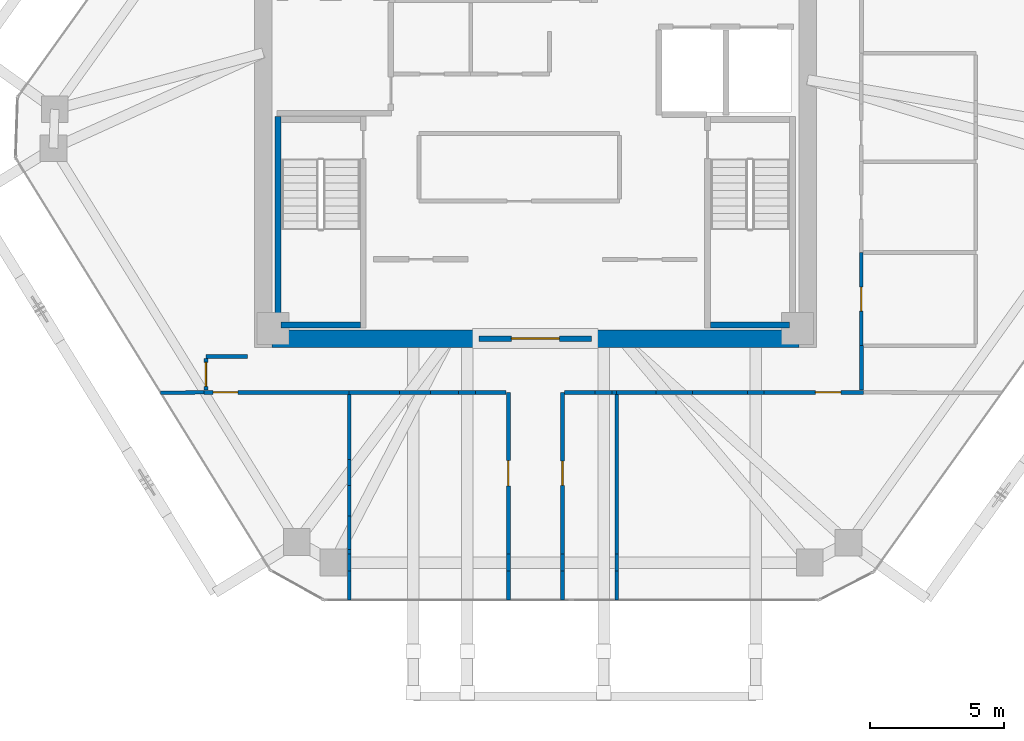
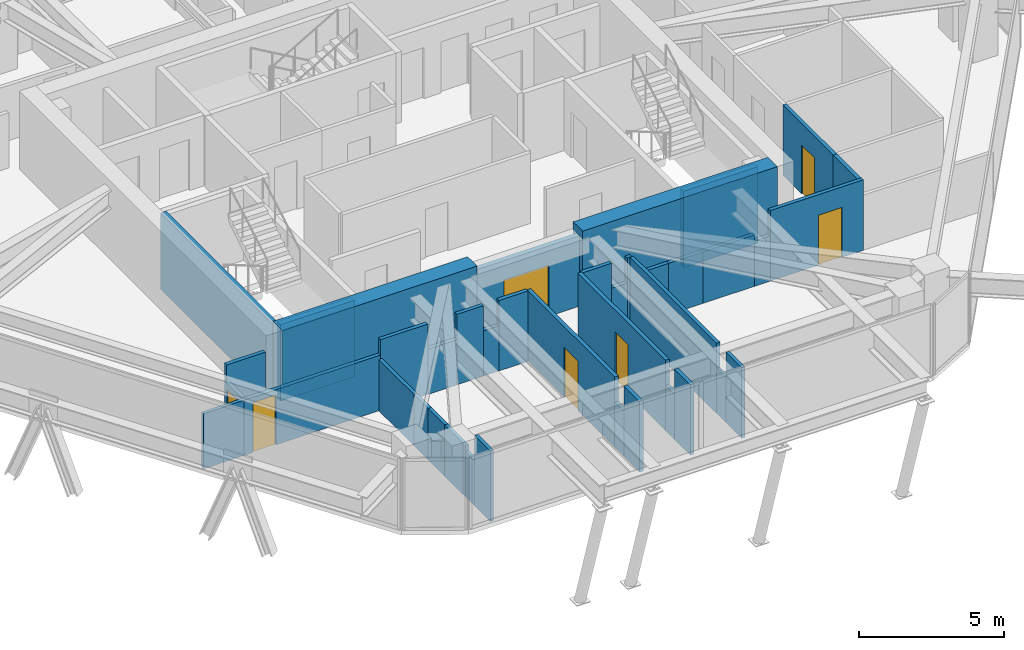
# One storey, part 10 of 14: 41 walls, 7 doors, 7 openings.
"""IFC4 building model written with IfcOpenShell, lengths in metres."""

from ifc_helpers import new_model, si_unit, direction, frame, frame_2d, origin, place, context, subcontext, project, spatial, rectangle, extrude, source, transform, mapped, material, layer, layer_set, type_object, type_shapes, element, fill, save


model = new_model("IFC4")

# Units and contexts
model_context = context("Model", 3, precision=1e-05, world=origin(), true_north=direction((0.0, 1.0)))
body_context = subcontext(model_context, "Body", "Model", "MODEL_VIEW")
ifc_project = project(units=[si_unit("LENGTHUNIT", "METRE"), si_unit("AREAUNIT", "SQUARE_METRE"), si_unit("VOLUMEUNIT", "CUBIC_METRE"), si_unit("PLANEANGLEUNIT", "RADIAN"), si_unit("MASSUNIT", "GRAM", prefix="KILO")], contexts=[model_context])

# Site, building, storey
site_placement = place(None, origin())
site = spatial("IfcSite", under=ifc_project, at=site_placement, CompositionType="ELEMENT")
building_placement = place(site_placement, origin())
building = spatial("IfcBuilding", under=site, at=building_placement, Name="Durnholm Broadcast Tower", CompositionType="ELEMENT")
storey_placement = place(building_placement, frame((0.0, 0.0, 159.300048828125)))
storey = spatial("IfcBuildingStorey", under=building, at=storey_placement, Name="L43", CompositionType="ELEMENT", Elevation=159.300048828125)

# Walls
ifc_material_1 = material(Name="Concrete C70/85", Category="concrete")
ifc_layer_1 = layer(ifc_material_1, 0.64990234375)
ifc_layer_set_1 = layer_set([ifc_layer_1], Name="Concrete C70/85")
wall_type_1 = type_object("IfcWallType", Name="WALL-CW-650", PredefinedType="SHEAR", material=ifc_layer_set_1)
for number, where, z_axis, x_axis, name in (
    (1, (-9.85009765625, -8.175048828125, 0.0), (0.0, 0.0, 1.0), (1.0, 0.0, 0.0), "L43 central core shear wall CW-S1"),
    (2, (2.10009765625, -8.175048828125, 0.0), (0.0, 0.0, 1.0), (1.0, 0.0, 0.0), "L43 central core shear wall CW-S2"),
):
    element("IfcWall", number, at=place(storey_placement, frame(where, z_axis=z_axis, x_axis=x_axis)), inside=storey, type_object=wall_type_1, Name=name, PredefinedType="SHEAR", context=body_context, shape_type="SweptSolid", body=[
        extrude(rectangle(XDim=7.75, YDim=0.64990234375, at=frame_2d((3.875, 0.0))), origin(), (0.0, 0.0, 1.0), 3.300048828125),
    ])

# Wall, opening, door
ifc_material_2 = material(Name="Fire-Rated Gypsum Shaftwall", Category="concrete")
ifc_layer_2 = layer(ifc_material_2, 0.199951171875)
ifc_layer_set_2 = layer_set([ifc_layer_2], Name="Fire-Rated Gypsum Shaftwall")
wall_type_2 = type_object("IfcWallType", Name="WALL-LOB-200", PredefinedType="SOLIDWALL", material=ifc_layer_set_2)
wall_1_placement = place(storey_placement, frame((-2.10009765625, -8.175048828125, 0.0), z_axis=(0.0, 0.0, 1.0), x_axis=(1.0, 0.0, 0.0)))
wall_1 = element("IfcWall", 3, at=wall_1_placement, inside=storey, type_object=wall_type_2, Name="L43 south core lobby fire screen", PredefinedType="SOLIDWALL", context=body_context, shape_type="SweptSolid", body=[
    extrude(rectangle(XDim=4.2001953125, YDim=0.199951171875, at=frame_2d((2.10009765625, 0.0))), origin(), (0.0, 0.0, 1.0), 2.96484375),
])
opening_1_placement = place(wall_1_placement, frame((1.199951171875, 0.0, 0.0)))
opening_1 = element("IfcOpeningElement", 4, at=opening_1_placement, cuts=wall_1, Name="Opening DP-60", PredefinedType="OPENING", context=body_context, shape_type="SweptSolid", body=[
    extrude(rectangle(XDim=1.800048828125, YDim=2.14990234375, at=frame_2d((0.89990234375, 1.074951171875))), frame((0.0, 0.10986328125, 0.0), z_axis=(0.0, -1.0, 0.0), x_axis=(1.0, 0.0, 0.0)), (0.0, 0.0, 1.0), 0.219970703125),
])
ifc_material_3 = material(Name="Fire-Rated Double Corridor Door", Category="steel")
ifc_layer_3 = layer(ifc_material_3, 0.050048828125)
ifc_layer_set_3 = layer_set([ifc_layer_3], Name="Fire-Rated Double Corridor Door")
door_type_1 = type_object("IfcDoorType", Name="DOOR-PAIR-FD60", OperationType="DOUBLE_DOOR_SINGLE_SWING", PredefinedType="DOOR", material=ifc_layer_set_3)
shared_shape_1 = source(origin(), body_context, "Body", "SweptSolid", [
    extrude(rectangle(XDim=1.800048828125, YDim=2.14990234375, at=frame_2d((0.89990234375, 1.074951171875))), frame((0.0, 0.02490234375, 0.0), z_axis=(0.0, -1.0, 0.0), x_axis=(1.0, 0.0, 0.0)), (0.0, 0.0, 1.0), 0.050048828125),
])
type_shapes(door_type_1, [shared_shape_1])
door_1_placement = place(opening_1_placement, origin())
door_1 = element("IfcDoor", 5, at=door_1_placement, inside=storey, type_object=door_type_1, Name="L43 south core lobby double fire door", OperationType="DOUBLE_DOOR_SINGLE_SWING", OverallHeight=2.14990234375, OverallWidth=1.800048828125, PredefinedType="DOOR", context=body_context, shape_type="MappedRepresentation", body=[
    mapped(shared_shape_1, transform((0.0, 0.0, 0.0), x_axis=(1.0, 0.0, 0.0), y_axis=(0.0, 1.0, 0.0), z_axis=(0.0, 0.0, 1.0), scale=1.0)),
])
fill(opening_1, door_1)

# Walls
ifc_material_4 = material(Name="Gypsum Metal Stud Partition", Category="concrete")
ifc_layer_4 = layer(ifc_material_4, 0.135009765625)
ifc_layer_set_4 = layer_set([ifc_layer_4], Name="Gypsum Metal Stud Partition")
wall_type_3 = type_object("IfcWallType", Name="WALL-PART-135", PredefinedType="PARTITIONING", material=ifc_layer_set_4)
wall_2_placement = place(storey_placement, frame((-6.9599609375, -10.259033203125, 0.0), z_axis=(0.0, 0.0, 1.0), x_axis=(0.0, -1.0, 0.0)))
element("IfcWall", 6, at=wall_2_placement, inside=storey, type_object=wall_type_3, Name="L43 room dividing partition 13.14", PredefinedType="PARTITIONING", context=body_context, shape_type="SweptSolid", body=[
    extrude(rectangle(XDim=2.435791015625, YDim=0.135009765625, at=frame_2d((1.2177734375, 0.0))), origin(), (0.0, 0.0, 1.0), 2.161865234375),
])
wall_3_placement = place(storey_placement, frame((-6.9599609375, -13.6611328125, 0.0), z_axis=(0.0, 0.0, 1.0), x_axis=(0.0, -1.0, 0.0)))
element("IfcWall", 7, at=wall_3_placement, inside=storey, type_object=wall_type_3, Name="L43 room dividing partition 13.14", PredefinedType="PARTITIONING", context=body_context, shape_type="SweptSolid", body=[
    extrude(rectangle(XDim=1.133056640625, YDim=0.135009765625, at=frame_2d((0.56640625, 0.0))), origin(), (0.0, 0.0, 1.0), 2.161865234375),
])
wall_4_placement = place(storey_placement, frame((-6.9599609375, -16.05517578125, 0.0), z_axis=(0.0, 0.0, 1.0), x_axis=(0.0, -1.0, 0.0)))
element("IfcWall", 8, at=wall_4_placement, inside=storey, type_object=wall_type_3, Name="L43 room dividing partition 13.14", PredefinedType="PARTITIONING", context=body_context, shape_type="SweptSolid", body=[
    extrude(rectangle(XDim=0.173095703125, YDim=0.135009765625, at=frame_2d((0.08642578125, 0.0))), origin(), (0.0, 0.0, 1.0), 2.161865234375),
])
wall_5_placement = place(storey_placement, frame((-6.9599609375, -16.855712890625, 0.0), z_axis=(0.0, 0.0, 1.0), x_axis=(0.0, -1.0, 0.0)))
element("IfcWall", 9, at=wall_5_placement, inside=storey, type_object=wall_type_3, Name="L43 room dividing partition 13.14", PredefinedType="PARTITIONING", context=body_context, shape_type="SweptSolid", body=[
    extrude(rectangle(XDim=1.086181640625, YDim=0.135009765625, at=frame_2d((0.54296875, 0.0))), origin(), (0.0, 0.0, 1.0), 2.96484375),
])
wall_6_placement = place(storey_placement, frame((-6.9599609375, -12.69482421875, 0.0), z_axis=(0.0, 0.0, 1.0), x_axis=(0.0, -1.0, 0.0)))
element("IfcWall", 10, at=wall_6_placement, inside=storey, type_object=wall_type_3, Name="L43 room dividing partition 13.14", PredefinedType="PARTITIONING", context=body_context, shape_type="SweptSolid", body=[
    extrude(rectangle(XDim=0.96630859375, YDim=0.135009765625, at=frame_2d((0.483154296875, 0.0))), origin(), (0.0, 0.0, 1.0), 2.161865234375),
])
wall_7_placement = place(storey_placement, frame((-6.9599609375, -14.794189453125, 0.0), z_axis=(0.0, 0.0, 1.0), x_axis=(0.0, -1.0, 0.0)))
element("IfcWall", 11, at=wall_7_placement, inside=storey, type_object=wall_type_3, Name="L43 room dividing partition 13.14", PredefinedType="PARTITIONING", context=body_context, shape_type="SweptSolid", body=[
    extrude(rectangle(XDim=1.260986328125, YDim=0.135009765625, at=frame_2d((0.63037109375, 0.0))), origin(), (0.0, 0.0, 1.0), 2.161865234375),
])
wall_8_placement = place(storey_placement, frame((-6.9599609375, -16.228271484375, 0.0), z_axis=(0.0, 0.0, 1.0), x_axis=(0.0, -1.0, 0.0)))
element("IfcWall", 12, at=wall_8_placement, inside=storey, type_object=wall_type_3, Name="L43 room dividing partition 13.14", PredefinedType="PARTITIONING", context=body_context, shape_type="SweptSolid", body=[
    extrude(rectangle(XDim=0.62744140625, YDim=0.135009765625, at=frame_2d((0.313720703125, 0.0))), origin(), (0.0, 0.0, 1.0), 1.904296875),
])
wall_9_placement = place(storey_placement, frame((-14.00390625, -10.200927734375, 0.0), z_axis=(0.0, 0.0, 1.0), x_axis=(0.999923084603, 0.012402615782, 0.0)))
element("IfcWall", 13, at=wall_9_placement, inside=storey, type_object=wall_type_3, Name="L43 room dividing partition 13.17", PredefinedType="PARTITIONING", context=body_context, shape_type="SweptSolid", body=[
    extrude(rectangle(XDim=1.6142578125, YDim=0.135009765625, at=frame_2d((0.80712890625, 0.0))), origin(), (0.0, 0.0, 1.0), 2.31884765625),
])
wall_10_placement = place(storey_placement, frame((3.0400390625, -10.259033203125, 0.0), z_axis=(0.0, 0.0, 1.0), x_axis=(0.0, -1.0, 0.0)))
element("IfcWall", 14, at=wall_10_placement, inside=storey, type_object=wall_type_3, Name="L43 room dividing partition 15.16", PredefinedType="PARTITIONING", context=body_context, shape_type="SweptSolid", body=[
    extrude(rectangle(XDim=5.96923828125, YDim=0.135009765625, at=frame_2d((2.984619140625, 0.0))), origin(), (0.0, 0.0, 1.0), 2.96484375),
])
wall_11_placement = place(storey_placement, frame((3.0400390625, -16.855712890625, 0.0), z_axis=(0.0, 0.0, 1.0), x_axis=(0.0, -1.0, 0.0)))
element("IfcWall", 15, at=wall_11_placement, inside=storey, type_object=wall_type_3, Name="L43 room dividing partition 15.16", PredefinedType="PARTITIONING", context=body_context, shape_type="SweptSolid", body=[
    extrude(rectangle(XDim=1.086181640625, YDim=0.135009765625, at=frame_2d((0.54296875, 0.0))), origin(), (0.0, 0.0, 1.0), 2.96484375),
])
wall_12_placement = place(storey_placement, frame((3.0400390625, -16.228271484375, 0.0), z_axis=(0.0, 0.0, 1.0), x_axis=(0.0, -1.0, 0.0)))
element("IfcWall", 16, at=wall_12_placement, inside=storey, type_object=wall_type_3, Name="L43 room dividing partition 15.16", PredefinedType="PARTITIONING", context=body_context, shape_type="SweptSolid", body=[
    extrude(rectangle(XDim=0.62744140625, YDim=0.135009765625, at=frame_2d((0.313720703125, 0.0))), origin(), (0.0, 0.0, 1.0), 1.904296875),
])

# Wall, opening, door
ifc_material_5 = material(Name="Acoustic Gypsum Stud Partition", Category="concrete")
ifc_layer_5 = layer(ifc_material_5, 0.14990234375)
ifc_layer_set_5 = layer_set([ifc_layer_5], Name="Acoustic Gypsum Stud Partition")
wall_type_4 = type_object("IfcWallType", Name="WALL-PART-150", PredefinedType="PARTITIONING", material=ifc_layer_set_5)
wall_13_placement = place(storey_placement, frame((-12.389892578125, -10.179931640625, 0.0), z_axis=(0.0, 0.0, 1.0), x_axis=(1.0, 0.0, 0.0)))
wall_13 = element("IfcWall", 17, at=wall_13_placement, inside=storey, type_object=wall_type_4, Name="L43 Open Plan Broadcast Workspace 6 corridor partition", PredefinedType="PARTITIONING", context=body_context, shape_type="SweptSolid", body=[
    extrude(rectangle(XDim=5.429931640625, YDim=0.14990234375, at=frame_2d((2.71484375, 0.0))), origin(), (0.0, 0.0, 1.0), 2.31884765625),
])
opening_2_placement = place(wall_13_placement, frame((0.35009765625, 0.0, 0.0)))
opening_2 = element("IfcOpeningElement", 18, at=opening_2_placement, cuts=wall_13, Name="Opening DR-92L", PredefinedType="OPENING", context=body_context, shape_type="SweptSolid", body=[
    extrude(rectangle(XDim=0.919921875, YDim=2.10009765625, at=frame_2d((0.4599609375, 1.050048828125))), frame((0.0, 0.0849609375, 0.0), z_axis=(0.0, -1.0, 0.0), x_axis=(1.0, 0.0, 0.0)), (0.0, 0.0, 1.0), 0.169921875),
])
ifc_material_6 = material(Name="Oak Veneer Office Door", Category="wood")
ifc_layer_6 = layer(ifc_material_6, 0.050048828125)
ifc_layer_set_6 = layer_set([ifc_layer_6], Name="Oak Veneer Office Door")
door_type_2 = type_object("IfcDoorType", Name="DOOR-RM-920L", OperationType="NOTDEFINED", PredefinedType="DOOR", material=ifc_layer_set_6)
shared_shape_2 = source(origin(), body_context, "Body", "SweptSolid", [
    extrude(rectangle(XDim=0.919921875, YDim=2.10009765625, at=frame_2d((0.4599609375, 1.050048828125))), frame((0.0, 0.02490234375, 0.0), z_axis=(0.0, -1.0, 0.0), x_axis=(1.0, 0.0, 0.0)), (0.0, 0.0, 1.0), 0.050048828125),
])
type_shapes(door_type_2, [shared_shape_2])
door_2_placement = place(opening_2_placement, origin())
door_2 = element("IfcDoor", 19, at=door_2_placement, inside=storey, type_object=door_type_2, Name="L43 Open Plan Broadcast Workspace 6 entrance door", OperationType="SINGLE_SWING_LEFT", OverallHeight=2.10009765625, OverallWidth=0.919921875, PredefinedType="DOOR", context=body_context, shape_type="MappedRepresentation", body=[
    mapped(shared_shape_2, transform((0.0, 0.0, 0.0), x_axis=(1.0, 0.0, 0.0), y_axis=(0.0, 1.0, 0.0), z_axis=(0.0, 0.0, 1.0), scale=1.0)),
])
fill(opening_2, door_2)

wall_14_placement = place(storey_placement, frame((-1.010009765625, -10.179931640625, 0.0), z_axis=(0.0, 0.0, 1.0), x_axis=(0.0, -1.0, 0.0)))
wall_14 = element("IfcWall", 20, at=wall_14_placement, inside=storey, type_object=wall_type_4, Name="L43 Lab Kitchen corridor partition", PredefinedType="PARTITIONING", context=body_context, shape_type="SweptSolid", body=[
    extrude(rectangle(XDim=6.04833984375, YDim=0.14990234375, at=frame_2d((3.024169921875, 0.0))), origin(), (0.0, 0.0, 1.0), 2.96484375),
])
opening_3_placement = place(wall_14_placement, frame((2.54931640625, 0.0, 0.0)))
opening_3 = element("IfcOpeningElement", 21, at=opening_3_placement, cuts=wall_14, Name="Opening DR-95R", PredefinedType="OPENING", context=body_context, shape_type="SweptSolid", body=[
    extrude(rectangle(XDim=0.949951171875, YDim=2.10009765625, at=frame_2d((0.47509765625, 1.050048828125))), frame((0.0, 0.0849609375, 0.0), z_axis=(0.0, -1.0, 0.0), x_axis=(1.0, 0.0, 0.0)), (0.0, 0.0, 1.0), 0.169921875),
])
ifc_material_7 = material(Name="Acoustic Oak Veneer Timber Door", Category="wood")
ifc_layer_7 = layer(ifc_material_7, 0.050048828125)
ifc_layer_set_7 = layer_set([ifc_layer_7], Name="Acoustic Oak Veneer Timber Door")
door_type_3 = type_object("IfcDoorType", Name="DOOR-RM-950R", OperationType="NOTDEFINED", PredefinedType="DOOR", material=ifc_layer_set_7)
shared_shape_3 = source(origin(), body_context, "Body", "SweptSolid", [
    extrude(rectangle(XDim=0.949951171875, YDim=2.10009765625, at=frame_2d((0.47509765625, 1.050048828125))), frame((0.0, 0.02490234375, 0.0), z_axis=(0.0, -1.0, 0.0), x_axis=(1.0, 0.0, 0.0)), (0.0, 0.0, 1.0), 0.050048828125),
])
type_shapes(door_type_3, [shared_shape_3])
door_3_placement = place(opening_3_placement, origin())
door_3 = element("IfcDoor", 22, at=door_3_placement, inside=storey, type_object=door_type_3, Name="L43 Lab Kitchen entrance door", OperationType="SINGLE_SWING_RIGHT", OverallHeight=2.10009765625, OverallWidth=0.949951171875, PredefinedType="DOOR", context=body_context, shape_type="MappedRepresentation", body=[
    mapped(shared_shape_3, transform((0.0, 0.0, 0.0), x_axis=(1.0, 0.0, 0.0), y_axis=(0.0, 1.0, 0.0), z_axis=(0.0, 0.0, 1.0), scale=1.0)),
])
fill(opening_3, door_3)

# Walls
wall_15_placement = place(storey_placement, frame((-1.010009765625, -16.855712890625, 0.0), z_axis=(0.0, 0.0, 1.0), x_axis=(0.0, -1.0, 0.0)))
element("IfcWall", 23, at=wall_15_placement, inside=storey, type_object=wall_type_4, Name="L43 Lab Kitchen corridor partition", PredefinedType="PARTITIONING", context=body_context, shape_type="SweptSolid", body=[
    extrude(rectangle(XDim=1.086181640625, YDim=0.14990234375, at=frame_2d((0.54296875, 0.0))), origin(), (0.0, 0.0, 1.0), 2.96484375),
])
wall_16_placement = place(storey_placement, frame((-1.010009765625, -16.228271484375, 0.0), z_axis=(0.0, 0.0, 1.0), x_axis=(0.0, -1.0, 0.0)))
element("IfcWall", 24, at=wall_16_placement, inside=storey, type_object=wall_type_4, Name="L43 Lab Kitchen corridor partition", PredefinedType="PARTITIONING", context=body_context, shape_type="SweptSolid", body=[
    extrude(rectangle(XDim=0.62744140625, YDim=0.14990234375, at=frame_2d((0.313720703125, 0.0))), origin(), (0.0, 0.0, 1.0), 1.904296875),
])
wall_17_placement = place(storey_placement, frame((-6.9599609375, -10.179931640625, 0.0), z_axis=(0.0, 0.0, 1.0), x_axis=(1.0, 0.0, 0.0)))
element("IfcWall", 25, at=wall_17_placement, inside=storey, type_object=wall_type_4, Name="L43 Lab Kitchen corridor partition", PredefinedType="PARTITIONING", context=body_context, shape_type="SweptSolid", body=[
    extrude(rectangle(XDim=1.889892578125, YDim=0.14990234375, at=frame_2d((0.94482421875, 0.0))), origin(), (0.0, 0.0, 1.0), 2.96484375),
])
wall_18_placement = place(storey_placement, frame((-3.912841796875, -10.179931640625, 0.0), z_axis=(0.0, 0.0, 1.0), x_axis=(1.0, 0.0, 0.0)))
element("IfcWall", 26, at=wall_18_placement, inside=storey, type_object=wall_type_4, Name="L43 Lab Kitchen corridor partition", PredefinedType="PARTITIONING", context=body_context, shape_type="SweptSolid", body=[
    extrude(rectangle(XDim=1.049072265625, YDim=0.14990234375, at=frame_2d((0.5244140625, 0.0))), origin(), (0.0, 0.0, 1.0), 2.96484375),
])
wall_19_placement = place(storey_placement, frame((-2.236083984375, -10.179931640625, 0.0), z_axis=(0.0, 0.0, 1.0), x_axis=(1.0, 0.0, 0.0)))
element("IfcWall", 27, at=wall_19_placement, inside=storey, type_object=wall_type_4, Name="L43 Lab Kitchen corridor partition", PredefinedType="PARTITIONING", context=body_context, shape_type="SweptSolid", body=[
    extrude(rectangle(XDim=1.14697265625, YDim=0.14990234375, at=frame_2d((0.573486328125, 0.0))), origin(), (0.0, 0.0, 1.0), 2.96484375),
])
wall_20_placement = place(storey_placement, frame((-5.070068359375, -10.179931640625, 0.0), z_axis=(0.0, 0.0, 1.0), x_axis=(1.0, 0.0, 0.0)))
element("IfcWall", 28, at=wall_20_placement, inside=storey, type_object=wall_type_4, Name="L43 Lab Kitchen corridor partition", PredefinedType="PARTITIONING", context=body_context, shape_type="SweptSolid", body=[
    extrude(rectangle(XDim=1.1572265625, YDim=0.14990234375, at=frame_2d((0.57861328125, 0.0))), origin(), (0.0, 0.0, 1.0), 1.904296875),
])
wall_21_placement = place(storey_placement, frame((-2.86376953125, -10.179931640625, 0.0), z_axis=(0.0, 0.0, 1.0), x_axis=(1.0, 0.0, 0.0)))
element("IfcWall", 29, at=wall_21_placement, inside=storey, type_object=wall_type_4, Name="L43 Lab Kitchen corridor partition", PredefinedType="PARTITIONING", context=body_context, shape_type="SweptSolid", body=[
    extrude(rectangle(XDim=0.627685546875, YDim=0.14990234375, at=frame_2d((0.31396484375, 0.0))), origin(), (0.0, 0.0, 1.0), 1.904296875),
])
wall_22_placement = place(storey_placement, frame((1.010009765625, -17.94189453125, 0.0), z_axis=(0.0, 0.0, 1.0), x_axis=(0.0, 1.0, 0.0)))
element("IfcWall", 30, at=wall_22_placement, inside=storey, type_object=wall_type_4, Name="L43 Instrument Store corridor partition", PredefinedType="PARTITIONING", context=body_context, shape_type="SweptSolid", body=[
    extrude(rectangle(XDim=1.086181640625, YDim=0.14990234375, at=frame_2d((0.54296875, 0.0))), origin(), (0.0, 0.0, 1.0), 2.96484375),
])

# Wall, opening, door
wall_23_placement = place(storey_placement, frame((1.010009765625, -16.228271484375, 0.0), z_axis=(0.0, 0.0, 1.0), x_axis=(0.0, 1.0, 0.0)))
wall_23 = element("IfcWall", 31, at=wall_23_placement, inside=storey, type_object=wall_type_4, Name="L43 Instrument Store corridor partition", PredefinedType="PARTITIONING", context=body_context, shape_type="SweptSolid", body=[
    extrude(rectangle(XDim=6.04833984375, YDim=0.14990234375, at=frame_2d((3.024169921875, 0.0))), origin(), (0.0, 0.0, 1.0), 2.96484375),
])
opening_4_placement = place(wall_23_placement, frame((2.57421875, 0.0, 0.0)))
opening_4 = element("IfcOpeningElement", 32, at=opening_4_placement, cuts=wall_23, Name="Opening DC-60L", PredefinedType="OPENING", context=body_context, shape_type="SweptSolid", body=[
    extrude(rectangle(XDim=0.89990234375, YDim=2.050048828125, at=frame_2d((0.449951171875, 1.02490234375))), frame((0.0, 0.0849609375, 0.0), z_axis=(0.0, -1.0, 0.0), x_axis=(1.0, 0.0, 0.0)), (0.0, 0.0, 1.0), 0.169921875),
])
ifc_material_8 = material(Name="Fire-Rated Core Service Door", Category="steel")
ifc_layer_8 = layer(ifc_material_8, 0.050048828125)
ifc_layer_set_8 = layer_set([ifc_layer_8], Name="Fire-Rated Core Service Door")
door_type_4 = type_object("IfcDoorType", Name="DOOR-CORE-FD60-L", OperationType="NOTDEFINED", PredefinedType="DOOR", material=ifc_layer_set_8)
shared_shape_4 = source(origin(), body_context, "Body", "SweptSolid", [
    extrude(rectangle(XDim=0.89990234375, YDim=2.050048828125, at=frame_2d((0.449951171875, 1.02490234375))), frame((0.0, 0.02490234375, 0.0), z_axis=(0.0, -1.0, 0.0), x_axis=(1.0, 0.0, 0.0)), (0.0, 0.0, 1.0), 0.050048828125),
])
type_shapes(door_type_4, [shared_shape_4])
door_4_placement = place(opening_4_placement, origin())
door_4 = element("IfcDoor", 33, at=door_4_placement, inside=storey, type_object=door_type_4, Name="L43 Instrument Store entrance door", OperationType="SINGLE_SWING_LEFT", OverallHeight=2.050048828125, OverallWidth=0.89990234375, PredefinedType="DOOR", context=body_context, shape_type="MappedRepresentation", body=[
    mapped(shared_shape_4, transform((0.0, 0.0, 0.0), x_axis=(1.0, 0.0, 0.0), y_axis=(0.0, 1.0, 0.0), z_axis=(0.0, 0.0, 1.0), scale=1.0)),
])
fill(opening_4, door_4)

# Walls
wall_24_placement = place(storey_placement, frame((1.010009765625, -16.855712890625, 0.0), z_axis=(0.0, 0.0, 1.0), x_axis=(0.0, 1.0, 0.0)))
element("IfcWall", 34, at=wall_24_placement, inside=storey, type_object=wall_type_4, Name="L43 Instrument Store corridor partition", PredefinedType="PARTITIONING", context=body_context, shape_type="SweptSolid", body=[
    extrude(rectangle(XDim=0.62744140625, YDim=0.14990234375, at=frame_2d((0.313720703125, 0.0))), origin(), (0.0, 0.0, 1.0), 1.904296875),
])
wall_25_placement = place(storey_placement, frame((1.089111328125, -10.179931640625, 0.0), z_axis=(0.0, 0.0, 1.0), x_axis=(1.0, 0.0, 0.0)))
element("IfcWall", 35, at=wall_25_placement, inside=storey, type_object=wall_type_4, Name="L43 Instrument Store corridor partition", PredefinedType="PARTITIONING", context=body_context, shape_type="SweptSolid", body=[
    extrude(rectangle(XDim=1.14697265625, YDim=0.14990234375, at=frame_2d((0.573486328125, 0.0))), origin(), (0.0, 0.0, 1.0), 2.96484375),
])
wall_26_placement = place(storey_placement, frame((2.86376953125, -10.179931640625, 0.0), z_axis=(0.0, 0.0, 1.0), x_axis=(1.0, 0.0, 0.0)))
element("IfcWall", 36, at=wall_26_placement, inside=storey, type_object=wall_type_4, Name="L43 Instrument Store corridor partition", PredefinedType="PARTITIONING", context=body_context, shape_type="SweptSolid", body=[
    extrude(rectangle(XDim=0.17626953125, YDim=0.14990234375, at=frame_2d((0.088134765625, 0.0))), origin(), (0.0, 0.0, 1.0), 2.96484375),
])
wall_27_placement = place(storey_placement, frame((2.236083984375, -10.179931640625, 0.0), z_axis=(0.0, 0.0, 1.0), x_axis=(1.0, 0.0, 0.0)))
element("IfcWall", 37, at=wall_27_placement, inside=storey, type_object=wall_type_4, Name="L43 Instrument Store corridor partition", PredefinedType="PARTITIONING", context=body_context, shape_type="SweptSolid", body=[
    extrude(rectangle(XDim=0.627685546875, YDim=0.14990234375, at=frame_2d((0.31396484375, 0.0))), origin(), (0.0, 0.0, 1.0), 1.904296875),
])
wall_28_placement = place(storey_placement, frame((3.0400390625, -10.179931640625, 0.0), z_axis=(0.0, 0.0, 1.0), x_axis=(1.0, 0.0, 0.0)))
element("IfcWall", 38, at=wall_28_placement, inside=storey, type_object=wall_type_4, Name="L43 Spatial Computing Lab Office corridor partition", PredefinedType="PARTITIONING", context=body_context, shape_type="SweptSolid", body=[
    extrude(rectangle(XDim=1.47119140625, YDim=0.14990234375, at=frame_2d((0.735595703125, 0.0))), origin(), (0.0, 0.0, 1.0), 2.161865234375),
])
wall_29_placement = place(storey_placement, frame((5.86962890625, -10.179931640625, 0.0), z_axis=(0.0, 0.0, 1.0), x_axis=(1.0, 0.0, 0.0)))
element("IfcWall", 39, at=wall_29_placement, inside=storey, type_object=wall_type_4, Name="L43 Spatial Computing Lab Office corridor partition", PredefinedType="PARTITIONING", context=body_context, shape_type="SweptSolid", body=[
    extrude(rectangle(XDim=2.0556640625, YDim=0.14990234375, at=frame_2d((1.02783203125, 0.0))), origin(), (0.0, 0.0, 1.0), 2.161865234375),
])

# Wall, opening, door
wall_30_placement = place(storey_placement, frame((8.552734375, -10.179931640625, 0.0), z_axis=(0.0, 0.0, 1.0), x_axis=(1.0, 0.0, 0.0)))
wall_30 = element("IfcWall", 40, at=wall_30_placement, inside=storey, type_object=wall_type_4, Name="L43 Spatial Computing Lab Office corridor partition", PredefinedType="PARTITIONING", context=body_context, shape_type="SweptSolid", body=[
    extrude(rectangle(XDim=3.707275390625, YDim=0.14990234375, at=frame_2d((1.853515625, 0.0))), origin(), (0.0, 0.0, 1.0), 2.96484375),
])
opening_5_placement = place(wall_30_placement, frame((1.909912109375, 0.0, 0.0)))
opening_5 = element("IfcOpeningElement", 41, at=opening_5_placement, cuts=wall_30, Name="Opening DR-95R", PredefinedType="OPENING", context=body_context, shape_type="SweptSolid", body=[
    extrude(rectangle(XDim=0.949951171875, YDim=2.10009765625, at=frame_2d((0.47509765625, 1.050048828125))), frame((0.0, 0.0849609375, 0.0), z_axis=(0.0, -1.0, 0.0), x_axis=(1.0, 0.0, 0.0)), (0.0, 0.0, 1.0), 0.169921875),
])
door_5_placement = place(opening_5_placement, origin())
door_5 = element("IfcDoor", 42, at=door_5_placement, inside=storey, type_object=door_type_3, Name="L43 Spatial Computing Lab Office entrance door", OperationType="SINGLE_SWING_RIGHT", OverallHeight=2.10009765625, OverallWidth=0.949951171875, PredefinedType="DOOR", context=body_context, shape_type="MappedRepresentation", body=[
    mapped(shared_shape_3, transform((0.0, 0.0, 0.0), x_axis=(1.0, 0.0, 0.0), y_axis=(0.0, 1.0, 0.0), z_axis=(0.0, 0.0, 1.0), scale=1.0)),
])
fill(opening_5, door_5)

# Walls
wall_31_placement = place(storey_placement, frame((4.51123046875, -10.179931640625, 0.0), z_axis=(0.0, 0.0, 1.0), x_axis=(1.0, 0.0, 0.0)))
element("IfcWall", 43, at=wall_31_placement, inside=storey, type_object=wall_type_4, Name="L43 Spatial Computing Lab Office corridor partition", PredefinedType="PARTITIONING", context=body_context, shape_type="SweptSolid", body=[
    extrude(rectangle(XDim=1.3583984375, YDim=0.14990234375, at=frame_2d((0.67919921875, 0.0))), origin(), (0.0, 0.0, 1.0), 2.161865234375),
])
wall_32_placement = place(storey_placement, frame((7.92529296875, -10.179931640625, 0.0), z_axis=(0.0, 0.0, 1.0), x_axis=(1.0, 0.0, 0.0)))
element("IfcWall", 44, at=wall_32_placement, inside=storey, type_object=wall_type_4, Name="L43 Spatial Computing Lab Office corridor partition", PredefinedType="PARTITIONING", context=body_context, shape_type="SweptSolid", body=[
    extrude(rectangle(XDim=0.62744140625, YDim=0.14990234375, at=frame_2d((0.313720703125, 0.0))), origin(), (0.0, 0.0, 1.0), 1.904296875),
])
wall_33_placement = place(storey_placement, frame((-10.760009765625, -8.840087890625, 0.0), z_axis=(0.0, 0.0, 1.0), x_axis=(-1.0, 0.0, 0.0)))
element("IfcWall", 45, at=wall_33_placement, inside=storey, type_object=wall_type_4, Name="L43 Broadcast R&D Hall corridor partition", PredefinedType="PARTITIONING", context=body_context, shape_type="SweptSolid", body=[
    extrude(rectangle(XDim=1.550048828125, YDim=0.14990234375, at=frame_2d((0.77490234375, 0.0))), origin(), (0.0, 0.0, 1.0), 2.96484375),
])

# Wall, opening, door
wall_34_placement = place(storey_placement, frame((-12.31005859375, -8.9189453125, 0.0), z_axis=(0.0, 0.0, 1.0), x_axis=(0.0, -1.0, 0.0)))
wall_34 = element("IfcWall", 46, at=wall_34_placement, inside=storey, type_object=wall_type_4, Name="L43 Broadcast R&D Hall corridor partition", PredefinedType="PARTITIONING", context=body_context, shape_type="SweptSolid", body=[
    extrude(rectangle(XDim=1.18212890625, YDim=0.14990234375, at=frame_2d((0.591064453125, 0.0))), origin(), (0.0, 0.0, 1.0), 2.31884765625),
])
opening_6_placement = place(wall_34_placement, frame((0.14111328125, 0.0, 0.0)))
opening_6 = element("IfcOpeningElement", 47, at=opening_6_placement, cuts=wall_34, Name="Opening DW-90R", PredefinedType="OPENING", context=body_context, shape_type="SweptSolid", body=[
    extrude(rectangle(XDim=0.89990234375, YDim=2.050048828125, at=frame_2d((0.449951171875, 1.02490234375))), frame((0.0, 0.0849609375, 0.0), z_axis=(0.0, -1.0, 0.0), x_axis=(1.0, 0.0, 0.0)), (0.0, 0.0, 1.0), 0.169921875),
])
ifc_material_9 = material(Name="Laminate Restroom Door", Category="steel")
ifc_layer_9 = layer(ifc_material_9, 0.050048828125)
ifc_layer_set_9 = layer_set([ifc_layer_9], Name="Laminate Restroom Door")
door_type_5 = type_object("IfcDoorType", Name="DOOR-WC-900R", OperationType="NOTDEFINED", PredefinedType="DOOR", material=ifc_layer_set_9)
shared_shape_5 = source(origin(), body_context, "Body", "SweptSolid", [
    extrude(rectangle(XDim=0.89990234375, YDim=2.050048828125, at=frame_2d((0.449951171875, 1.02490234375))), frame((0.0, 0.02490234375, 0.0), z_axis=(0.0, -1.0, 0.0), x_axis=(1.0, 0.0, 0.0)), (0.0, 0.0, 1.0), 0.050048828125),
])
type_shapes(door_type_5, [shared_shape_5])
door_6_placement = place(opening_6_placement, origin())
door_6 = element("IfcDoor", 48, at=door_6_placement, inside=storey, type_object=door_type_5, Name="L43 Broadcast R&D Hall entrance door", OperationType="SINGLE_SWING_RIGHT", OverallHeight=2.050048828125, OverallWidth=0.89990234375, PredefinedType="DOOR", context=body_context, shape_type="MappedRepresentation", body=[
    mapped(shared_shape_5, transform((0.0, 0.0, 0.0), x_axis=(1.0, 0.0, 0.0), y_axis=(0.0, 1.0, 0.0), z_axis=(0.0, 0.0, 1.0), scale=1.0)),
])
fill(opening_6, door_6)

# Walls
wall_35_placement = place(storey_placement, frame((12.179931640625, -10.10107421875, 0.0), z_axis=(0.0, 0.0, 1.0), x_axis=(0.0, 1.0, 0.0)))
element("IfcWall", 49, at=wall_35_placement, inside=storey, type_object=wall_type_4, Name="L43 Camera Calibration Office corridor partition", PredefinedType="PARTITIONING", context=body_context, shape_type="SweptSolid", body=[
    extrude(rectangle(XDim=1.6611328125, YDim=0.14990234375, at=frame_2d((0.83056640625, 0.0))), origin(), (0.0, 0.0, 1.0), 2.96484375),
])
ifc_material_10 = material(Name="Concrete C50/60", Category="concrete")
ifc_layer_10 = layer(ifc_material_10, 0.219970703125)
ifc_layer_set_10 = layer_set([ifc_layer_10], Name="Concrete C50/60")
wall_type_5 = type_object("IfcWallType", Name="WALL-SW-220", PredefinedType="SHEAR", material=ifc_layer_set_10)
wall_36_placement = place(storey_placement, frame((-9.610107421875, 0.1201171875, -0.239990234375), z_axis=(0.0, 0.0, 1.0), x_axis=(0.0, -1.0, 0.0)))
element("IfcWall", 50, at=wall_36_placement, inside=storey, type_object=wall_type_5, Name="L43 stair ST-1 structural shaft wall W", PredefinedType="SHEAR", context=body_context, shape_type="SweptSolid", body=[
    extrude(rectangle(XDim=7.89013671875, YDim=0.219970703125, at=frame_2d((3.945068359375, 0.0))), origin(), (0.0, 0.0, 1.0), 3.219970703125),
])
for number, where, z_axis, x_axis, name in (
    (51, (-9.5, -7.659912109375, -0.239990234375), (0.0, 0.0, 1.0), (1.0, 0.0, 0.0), "L43 stair ST-1 structural shaft wall S"),
    (52, (6.5400390625, -7.659912109375, -0.239990234375), (0.0, 0.0, 1.0), (1.0, 0.0, 0.0), "L43 stair ST-2 structural shaft wall S"),
):
    element("IfcWall", number, at=place(storey_placement, frame(where, z_axis=z_axis, x_axis=x_axis)), inside=storey, type_object=wall_type_5, Name=name, PredefinedType="SHEAR", context=body_context, shape_type="SweptSolid", body=[
        extrude(rectangle(XDim=2.9599609375, YDim=0.219970703125, at=frame_2d((1.47998046875, 0.0))), origin(), (0.0, 0.0, 1.0), 3.219970703125),
    ])

# Wall, opening, door
ifc_material_11 = material(Name="Moisture-Resistant Tile Partition", Category="concrete")
ifc_layer_11 = layer(ifc_material_11, 0.139892578125)
ifc_layer_set_11 = layer_set([ifc_layer_11], Name="Moisture-Resistant Tile Partition")
wall_type_6 = type_object("IfcWallType", Name="WALL-WC-140", PredefinedType="PARTITIONING", material=ifc_layer_set_11)
wall_37_placement = place(storey_placement, frame((12.179931640625, -8.43994140625, 0.0), z_axis=(0.0, 0.0, 1.0), x_axis=(0.0, 1.0, 0.0)))
wall_37 = element("IfcWall", 53, at=wall_37_placement, inside=storey, type_object=wall_type_6, Name="L43 Men's Restroom corridor partition", PredefinedType="PARTITIONING", context=body_context, shape_type="SweptSolid", body=[
    extrude(rectangle(XDim=3.47998046875, YDim=0.139892578125, at=frame_2d((1.739990234375, 0.0))), origin(), (0.0, 0.0, 1.0), 2.96484375),
])
opening_7_placement = place(wall_37_placement, frame((1.2900390625, 0.0, 0.0)))
opening_7 = element("IfcOpeningElement", 54, at=opening_7_placement, cuts=wall_37, Name="Opening DW-90R", PredefinedType="OPENING", context=body_context, shape_type="SweptSolid", body=[
    extrude(rectangle(XDim=0.89990234375, YDim=2.050048828125, at=frame_2d((0.449951171875, 1.02490234375))), frame((0.0, 0.080078125, 0.0), z_axis=(0.0, -1.0, 0.0), x_axis=(1.0, 0.0, 0.0)), (0.0, 0.0, 1.0), 0.159912109375),
])
door_7_placement = place(opening_7_placement, origin())
door_7 = element("IfcDoor", 55, at=door_7_placement, inside=storey, type_object=door_type_5, Name="L43 Men's Restroom entrance door", OperationType="SINGLE_SWING_RIGHT", OverallHeight=2.050048828125, OverallWidth=0.89990234375, PredefinedType="DOOR", context=body_context, shape_type="MappedRepresentation", body=[
    mapped(shared_shape_5, transform((0.0, 0.0, 0.0), x_axis=(1.0, 0.0, 0.0), y_axis=(0.0, 1.0, 0.0), z_axis=(0.0, 0.0, 1.0), scale=1.0)),
])
fill(opening_7, door_7)

save(model, "model.ifc")
